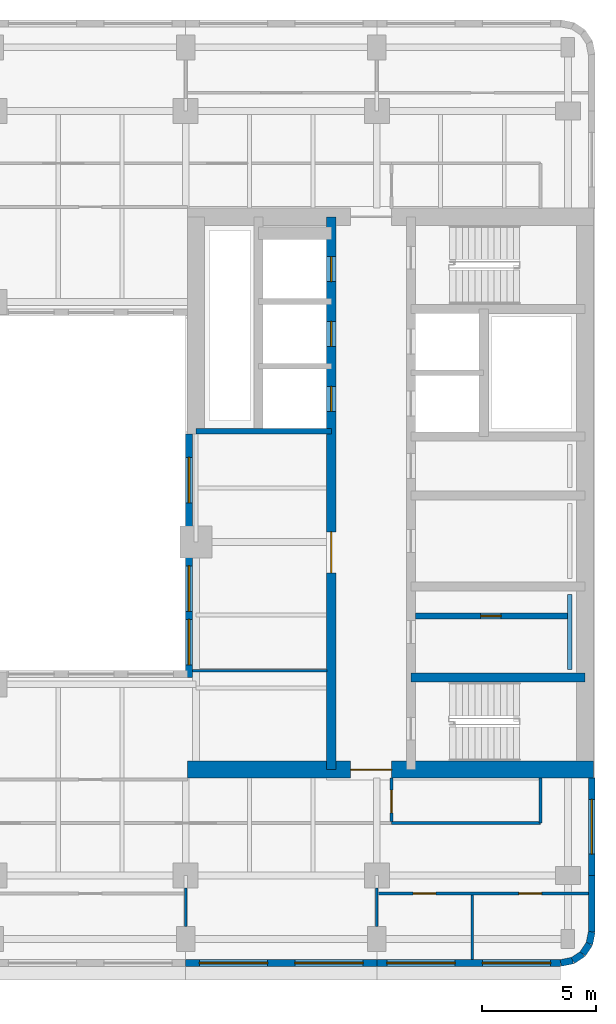
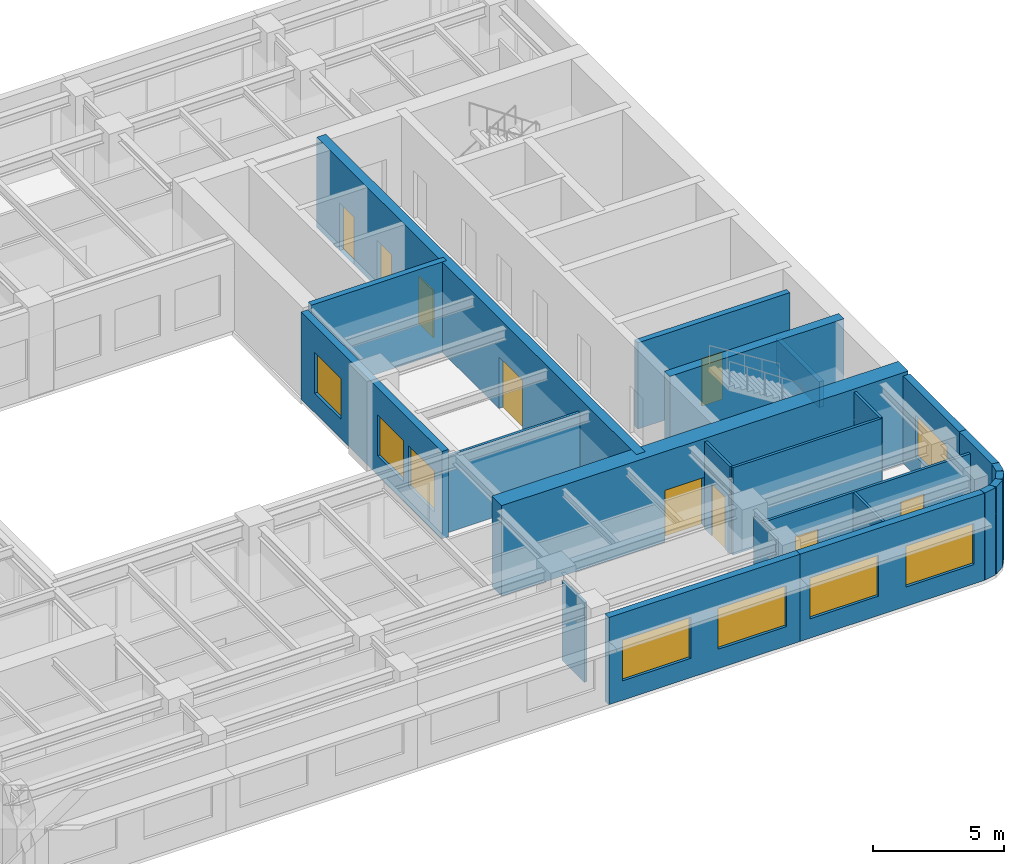
# One storey, part 5 of 11: 23 walls, 9 doors, 8 windows, 17 openings.
"""IFC4 building model written with IfcOpenShell, lengths in metres."""

from ifc_helpers import new_model, si_unit, direction, frame, frame_2d, origin, place, context, subcontext, project, spatial, rectangle, extrude, material, layer, layer_set, type_object, element, fill, save


model = new_model("IFC4")

# Units and contexts
model_context = context("Model", 3, precision=1e-05, world=origin(), true_north=direction((0.0, 1.0)))
body_context = subcontext(model_context, "Body", "Model", "MODEL_VIEW")
ifc_project = project(units=[si_unit("LENGTHUNIT", "METRE"), si_unit("AREAUNIT", "SQUARE_METRE"), si_unit("VOLUMEUNIT", "CUBIC_METRE"), si_unit("PLANEANGLEUNIT", "RADIAN"), si_unit("MASSUNIT", "GRAM", prefix="KILO")], contexts=[model_context])

# Site, building, storey
site_placement = place(None, origin())
site = spatial("IfcSite", under=ifc_project, at=site_placement, CompositionType="ELEMENT")
building_placement = place(site_placement, origin())
building = spatial("IfcBuilding", under=site, at=building_placement, Name="Claustro Exchange Tower", CompositionType="ELEMENT")
storey_placement = place(building_placement, frame((0.0, 0.0, 215.39990234375)))
storey = spatial("IfcBuildingStorey", under=building, at=storey_placement, Name="L49", CompositionType="ELEMENT", Elevation=215.39990234375)

# Walls
ifc_material_1 = material(Name="Laminated glass in aluminium frame", Category="aluminium")
ifc_layer_1 = layer(ifc_material_1, 0.1201171875)
ifc_layer_set_1 = layer_set([ifc_layer_1], Name="Laminated glass in aluminium frame")
wall_type_1 = type_object("IfcWallType", Name="P2 120 glazed partition", PredefinedType="PARTITIONING", material=ifc_layer_set_1)
wall_1_placement = place(storey_placement, frame((33.89794921875, 17.39990234375, 0.0), z_axis=(0.0, 0.0, 1.0), x_axis=(1.0, 0.0, 0.0)))
element("IfcWall", 1, at=wall_1_placement, inside=storey, type_object=wall_type_1, Name="Partition P2 L49", PredefinedType="PARTITIONING", context=body_context, shape_type="SweptSolid", body=[
    extrude(rectangle(XDim=5.904052734375, YDim=0.1201171875, at=frame_2d((2.9521484375, 0.0))), origin(), (0.0, 0.0, 1.0), 3.550048828125),
])
wall_2_placement = place(storey_placement, frame((33.60009765625, 6.14892578125, 0.0), z_axis=(0.0, 0.0, 1.0), x_axis=(0.0, 1.0, 0.0)))
element("IfcWall", 2, at=wall_2_placement, inside=storey, type_object=wall_type_1, Name="Partition P2 L49", PredefinedType="PARTITIONING", context=body_context, shape_type="SweptSolid", body=[
    extrude(rectangle(XDim=1.703125, YDim=0.1201171875, at=frame_2d((0.8515625, 0.0))), origin(), (0.0, 0.0, 1.0), 3.690185546875),
])

# Wall, openings, doors
wall_3_placement = place(storey_placement, frame((42.0, 7.60009765625, 0.0), z_axis=(0.0, 0.0, 1.0), x_axis=(1.0, 0.0, 0.0)))
wall_3 = element("IfcWall", 3, at=wall_3_placement, inside=storey, type_object=wall_type_1, Name="Partition P2 L49", PredefinedType="PARTITIONING", context=body_context, shape_type="SweptSolid", body=[
    extrude(rectangle(XDim=9.302001953125, YDim=0.1201171875, at=frame_2d((4.65087890625, 0.0))), origin(), (0.0, 0.0, 1.0), 3.56005859375),
])
opening_1_placement = place(wall_3_placement, frame((1.60009765625, 0.0, 0.0)))
opening_1 = element("IfcOpeningElement", 4, at=opening_1_placement, cuts=wall_3, Name="Opening D7", PredefinedType="OPENING", context=body_context, shape_type="SweptSolid", body=[
    extrude(rectangle(XDim=1.0, YDim=2.39990234375, at=frame_2d((0.5, 1.199951171875))), frame((0.0, 0.070068359375, 0.0), z_axis=(0.0, -1.0, 0.0), x_axis=(1.0, 0.0, 0.0)), (0.0, 0.0, 1.0), 0.14013671875),
])
opening_2_placement = place(wall_3_placement, frame((6.25, 0.0, 0.0)))
opening_2 = element("IfcOpeningElement", 5, at=opening_2_placement, cuts=wall_3, Name="Opening D7", PredefinedType="OPENING", context=body_context, shape_type="SweptSolid", body=[
    extrude(rectangle(XDim=1.0, YDim=2.39990234375, at=frame_2d((0.5, 1.199951171875))), frame((0.0, 0.070068359375, 0.0), z_axis=(0.0, -1.0, 0.0), x_axis=(1.0, 0.0, 0.0)), (0.0, 0.0, 1.0), 0.14013671875),
])
ifc_material_2 = material(Name="Glass door in aluminium frame", Category="aluminium")
door_type_1 = type_object("IfcDoorType", Name="D7 1000 x 2400 glazed door", OperationType="SINGLE_SWING_LEFT", PredefinedType="DOOR", material=ifc_material_2)
door_1_placement = place(opening_1_placement, frame((1.0, 0.0, 0.0), z_axis=(0.0, 0.0, 1.0), x_axis=(-1.0, 0.0, 0.0)))
door_1 = element("IfcDoor", 6, at=door_1_placement, inside=storey, type_object=door_type_1, Name="Door D7 L49", OperationType="SINGLE_SWING_RIGHT", OverallHeight=2.39990234375, OverallWidth=1.0, PredefinedType="DOOR", context=body_context, shape_type="SweptSolid", body=[
    extrude(rectangle(XDim=1.0, YDim=2.39990234375, at=frame_2d((0.5, 1.199951171875))), frame((0.0, 0.02490234375, 0.0), z_axis=(0.0, -1.0, 0.0), x_axis=(1.0, 0.0, 0.0)), (0.0, 0.0, 1.0), 0.050048828125),
])
fill(opening_1, door_1)
door_2_placement = place(opening_2_placement, frame((1.0, 0.0, 0.0), z_axis=(0.0, 0.0, 1.0), x_axis=(-1.0, 0.0, 0.0)))
door_2 = element("IfcDoor", 7, at=door_2_placement, inside=storey, type_object=door_type_1, Name="Door D7 L49", OperationType="SINGLE_SWING_RIGHT", OverallHeight=2.39990234375, OverallWidth=1.0, PredefinedType="DOOR", context=body_context, shape_type="SweptSolid", body=[
    extrude(rectangle(XDim=1.0, YDim=2.39990234375, at=frame_2d((0.5, 1.199951171875))), frame((0.0, 0.02490234375, 0.0), z_axis=(0.0, -1.0, 0.0), x_axis=(1.0, 0.0, 0.0)), (0.0, 0.0, 1.0), 0.050048828125),
])
fill(opening_2, door_2)

# Walls
wall_4_placement = place(storey_placement, frame((42.0, 6.14892578125, 0.0), z_axis=(0.0, 0.0, 1.0), x_axis=(0.0, 1.0, 0.0)))
element("IfcWall", 8, at=wall_4_placement, inside=storey, type_object=wall_type_1, Name="Partition P2 L49", PredefinedType="PARTITIONING", context=body_context, shape_type="SweptSolid", body=[
    extrude(rectangle(XDim=1.703125, YDim=0.1201171875, at=frame_2d((0.8515625, 0.0))), origin(), (0.0, 0.0, 1.0), 3.690185546875),
])
wall_5_placement = place(storey_placement, frame((46.199951171875, 4.699951171875, 0.0), z_axis=(0.0, 0.0, 1.0), x_axis=(0.0, 1.0, 0.0)))
element("IfcWall", 9, at=wall_5_placement, inside=storey, type_object=wall_type_1, Name="Partition P2 L49", PredefinedType="PARTITIONING", context=body_context, shape_type="SweptSolid", body=[
    extrude(rectangle(XDim=2.842041015625, YDim=0.1201171875, at=frame_2d((1.4208984375, 0.0))), origin(), (0.0, 0.0, 1.0), 3.56005859375),
])

# Wall, opening, door
wall_6_placement = place(storey_placement, frame((42.64990234375, 10.758056640625, 0.0), z_axis=(0.0, 0.0, 1.0), x_axis=(0.0, 1.0, 0.0)))
wall_6 = element("IfcWall", 10, at=wall_6_placement, inside=storey, type_object=wall_type_1, Name="Partition P2 L49", PredefinedType="PARTITIONING", context=body_context, shape_type="SweptSolid", body=[
    extrude(rectangle(XDim=1.91796875, YDim=0.1201171875, at=frame_2d((0.958984375, 0.0))), origin(), (0.0, 0.0, 1.0), 4.050048828125),
])
opening_3_placement = place(wall_6_placement, frame((0.39208984375, 0.0, 0.0)))
opening_3 = element("IfcOpeningElement", 11, at=opening_3_placement, cuts=wall_6, Name="Opening D7", PredefinedType="OPENING", context=body_context, shape_type="SweptSolid", body=[
    extrude(rectangle(XDim=1.0, YDim=2.39990234375, at=frame_2d((0.5, 1.199951171875))), frame((0.0, 0.070068359375, 0.0), z_axis=(0.0, -1.0, 0.0), x_axis=(1.0, 0.0, 0.0)), (0.0, 0.0, 1.0), 0.14013671875),
])
door_3_placement = place(opening_3_placement, frame((1.0, 0.0, 0.0), z_axis=(0.0, 0.0, 1.0), x_axis=(-1.0, 0.0, 0.0)))
door_3 = element("IfcDoor", 12, at=door_3_placement, inside=storey, type_object=door_type_1, Name="Door D7 L49", OperationType="SINGLE_SWING_RIGHT", OverallHeight=2.39990234375, OverallWidth=1.0, PredefinedType="DOOR", context=body_context, shape_type="SweptSolid", body=[
    extrude(rectangle(XDim=1.0, YDim=2.39990234375, at=frame_2d((0.5, 1.199951171875))), frame((0.0, 0.02490234375, 0.0), z_axis=(0.0, -1.0, 0.0), x_axis=(1.0, 0.0, 0.0)), (0.0, 0.0, 1.0), 0.050048828125),
])
fill(opening_3, door_3)

# Walls
wall_7_placement = place(storey_placement, frame((42.64794921875, 10.699951171875, 0.0), z_axis=(0.0, 0.0, 1.0), x_axis=(1.0, 0.0, 0.0)))
element("IfcWall", 13, at=wall_7_placement, inside=storey, type_object=wall_type_1, Name="Partition P2 L49", PredefinedType="PARTITIONING", context=body_context, shape_type="SweptSolid", body=[
    extrude(rectangle(XDim=6.552001953125, YDim=0.1201171875, at=frame_2d((3.27587890625, 0.0))), origin(), (0.0, 0.0, 1.0), 4.050048828125),
])
wall_8_placement = place(storey_placement, frame((49.199951171875, 10.699951171875, 0.0), z_axis=(0.0, 0.0, 1.0), x_axis=(0.0, 1.0, 0.0)))
element("IfcWall", 14, at=wall_8_placement, inside=storey, type_object=wall_type_1, Name="Partition P2 L49", PredefinedType="PARTITIONING", context=body_context, shape_type="SweptSolid", body=[
    extrude(rectangle(XDim=1.97607421875, YDim=0.1201171875, at=frame_2d((0.988037109375, 0.0))), origin(), (0.0, 0.0, 1.0), 4.050048828125),
])

# Wall, opening, door
ifc_material_3 = material(Name="Concrete blockwork, rendered", Category="masonry")
ifc_layer_2 = layer(ifc_material_3, 0.25)
ifc_layer_set_2 = layer_set([ifc_layer_2], Name="Concrete blockwork, rendered")
wall_type_2 = type_object("IfcWallType", Name="P4 250 blockwork wall", PredefinedType="PARTITIONING", material=ifc_layer_set_2)
wall_9_placement = place(storey_placement, frame((43.699951171875, 19.800048828125, 0.0), z_axis=(0.0, 0.0, 1.0), x_axis=(1.0, 0.0, 0.0)))
wall_9 = element("IfcWall", 15, at=wall_9_placement, inside=storey, type_object=wall_type_2, Name="Partition P4 L49", PredefinedType="PARTITIONING", context=body_context, shape_type="SweptSolid", body=[
    extrude(rectangle(XDim=6.675048828125, YDim=0.25, at=frame_2d((3.33740234375, 0.0))), origin(), (0.0, 0.0, 1.0), 4.0),
])
opening_4_placement = place(wall_9_placement, frame((2.862548828125, 0.0, 0.0)))
opening_4 = element("IfcOpeningElement", 16, at=opening_4_placement, cuts=wall_9, Name="Opening D5", PredefinedType="OPENING", context=body_context, shape_type="SweptSolid", body=[
    extrude(rectangle(XDim=0.89990234375, YDim=2.199951171875, at=frame_2d((0.449951171875, 1.10009765625))), frame((0.0, 0.135009765625, 0.0), z_axis=(0.0, -1.0, 0.0), x_axis=(1.0, 0.0, 0.0)), (0.0, 0.0, 1.0), 0.27001953125),
])
ifc_material_4 = material(Name="Steel door, painted", Category="steel")
door_type_2 = type_object("IfcDoorType", Name="D5 900 x 2200 store door", OperationType="SINGLE_SWING_LEFT", PredefinedType="DOOR", material=ifc_material_4)
door_4_placement = place(opening_4_placement, origin())
door_4 = element("IfcDoor", 17, at=door_4_placement, inside=storey, type_object=door_type_2, Name="Store door D5 L49", OperationType="SINGLE_SWING_LEFT", OverallHeight=2.199951171875, OverallWidth=0.89990234375, PredefinedType="DOOR", context=body_context, shape_type="SweptSolid", body=[
    extrude(rectangle(XDim=0.89990234375, YDim=2.199951171875, at=frame_2d((0.449951171875, 1.10009765625))), frame((0.0, 0.02490234375, 0.0), z_axis=(0.0, -1.0, 0.0), x_axis=(1.0, 0.0, 0.0)), (0.0, 0.0, 1.0), 0.050048828125),
])
fill(opening_4, door_4)

# Wall, openings, windows
ifc_material_5 = material(Name="Concrete HA-40 (C40/50), precast, white cement, acid-etched", Category="concrete")
ifc_layer_3 = layer(ifc_material_5, 0.300048828125)
ifc_layer_set_3 = layer_set([ifc_layer_3], Name="Concrete HA-40 (C40/50), precast, white cement, acid-etched")
wall_type_3 = type_object("IfcWallType", Name="PC1 300 precast concrete pier panel", PredefinedType="SOLIDWALL", material=ifc_layer_set_3)
wall_10_placement = place(storey_placement, frame((50.085205078125, 4.550048828125, 0.0), z_axis=(0.0, 0.0, 1.0), x_axis=(-1.0, 0.0, 0.0)))
wall_10 = element("IfcWall", 18, at=wall_10_placement, inside=storey, type_object=wall_type_3, Name="Precast pier panel PC1 L49", PredefinedType="SOLIDWALL", context=body_context, shape_type="SweptSolid", body=[
    extrude(rectangle(XDim=8.085205078125, YDim=0.300048828125, at=frame_2d((4.04248046875, 0.0))), origin(), (0.0, 0.0, 1.0), 4.050048828125),
])
opening_5_placement = place(wall_10_placement, frame((0.442626953125, 0.0, 0.89990234375)))
opening_5 = element("IfcOpeningElement", 19, at=opening_5_placement, cuts=wall_10, Name="Opening W1", PredefinedType="OPENING", context=body_context, shape_type="SweptSolid", body=[
    extrude(rectangle(XDim=3.0, YDim=1.89990234375, at=frame_2d((1.5, 0.949951171875))), frame((0.0, 0.159912109375, 0.0), z_axis=(0.0, -1.0, 0.0), x_axis=(1.0, 0.0, 0.0)), (0.0, 0.0, 1.0), 0.320068359375),
])
opening_6_placement = place(wall_10_placement, frame((4.642578125, 0.0, 0.89990234375)))
opening_6 = element("IfcOpeningElement", 20, at=opening_6_placement, cuts=wall_10, Name="Opening W1", PredefinedType="OPENING", context=body_context, shape_type="SweptSolid", body=[
    extrude(rectangle(XDim=3.0, YDim=1.89990234375, at=frame_2d((1.5, 0.949951171875))), frame((0.0, 0.159912109375, 0.0), z_axis=(0.0, -1.0, 0.0), x_axis=(1.0, 0.0, 0.0)), (0.0, 0.0, 1.0), 0.320068359375),
])
ifc_material_6 = material(Name="Aluminium frame, clear double glazing", Category="aluminium")
window_type_1 = type_object("IfcWindowType", Name="W1 3000 x 1900 window", PartitioningType="SINGLE_PANEL", PredefinedType="WINDOW", material=ifc_material_6)
window_1_placement = place(opening_5_placement, origin())
window_1 = element("IfcWindow", 21, at=window_1_placement, inside=storey, type_object=window_type_1, Name="Window W1 L49", OverallHeight=1.89990234375, OverallWidth=3.0, PartitioningType="SINGLE_PANEL", PredefinedType="WINDOW", context=body_context, shape_type="SweptSolid", body=[
    extrude(rectangle(XDim=3.0, YDim=1.89990234375, at=frame_2d((1.5, 0.949951171875))), frame((0.0, 0.030029296875, 0.0), z_axis=(0.0, -1.0, 0.0), x_axis=(1.0, 0.0, 0.0)), (0.0, 0.0, 1.0), 0.06005859375),
])
fill(opening_5, window_1)
window_2_placement = place(opening_6_placement, origin())
window_2 = element("IfcWindow", 22, at=window_2_placement, inside=storey, type_object=window_type_1, Name="Window W1 L49", OverallHeight=1.89990234375, OverallWidth=3.0, PartitioningType="SINGLE_PANEL", PredefinedType="WINDOW", context=body_context, shape_type="SweptSolid", body=[
    extrude(rectangle(XDim=3.0, YDim=1.89990234375, at=frame_2d((1.5, 0.949951171875))), frame((0.0, 0.030029296875, 0.0), z_axis=(0.0, -1.0, 0.0), x_axis=(1.0, 0.0, 0.0)), (0.0, 0.0, 1.0), 0.06005859375),
])
fill(opening_6, window_2)

wall_11_placement = place(storey_placement, frame((42.0, 4.550048828125, 0.0), z_axis=(0.0, 0.0, 1.0), x_axis=(-1.0, 0.0, 0.0)))
wall_11 = element("IfcWall", 23, at=wall_11_placement, inside=storey, type_object=wall_type_3, Name="Precast pier panel PC1 L49", PredefinedType="SOLIDWALL", context=body_context, shape_type="SweptSolid", body=[
    extrude(rectangle(XDim=8.39990234375, YDim=0.300048828125, at=frame_2d((4.199951171875, 0.0))), origin(), (0.0, 0.0, 1.0), 4.050048828125),
])
opening_7_placement = place(wall_11_placement, frame((0.60009765625, 0.0, 0.89990234375)))
opening_7 = element("IfcOpeningElement", 24, at=opening_7_placement, cuts=wall_11, Name="Opening W1", PredefinedType="OPENING", context=body_context, shape_type="SweptSolid", body=[
    extrude(rectangle(XDim=3.0, YDim=1.89990234375, at=frame_2d((1.5, 0.949951171875))), frame((0.0, 0.159912109375, 0.0), z_axis=(0.0, -1.0, 0.0), x_axis=(1.0, 0.0, 0.0)), (0.0, 0.0, 1.0), 0.320068359375),
])
opening_8_placement = place(wall_11_placement, frame((4.800048828125, 0.0, 0.89990234375)))
opening_8 = element("IfcOpeningElement", 25, at=opening_8_placement, cuts=wall_11, Name="Opening W1", PredefinedType="OPENING", context=body_context, shape_type="SweptSolid", body=[
    extrude(rectangle(XDim=3.0, YDim=1.89990234375, at=frame_2d((1.5, 0.949951171875))), frame((0.0, 0.159912109375, 0.0), z_axis=(0.0, -1.0, 0.0), x_axis=(1.0, 0.0, 0.0)), (0.0, 0.0, 1.0), 0.320068359375),
])
window_3_placement = place(opening_7_placement, origin())
window_3 = element("IfcWindow", 26, at=window_3_placement, inside=storey, type_object=window_type_1, Name="Window W1 L49", OverallHeight=1.89990234375, OverallWidth=3.0, PartitioningType="SINGLE_PANEL", PredefinedType="WINDOW", context=body_context, shape_type="SweptSolid", body=[
    extrude(rectangle(XDim=3.0, YDim=1.89990234375, at=frame_2d((1.5, 0.949951171875))), frame((0.0, 0.030029296875, 0.0), z_axis=(0.0, -1.0, 0.0), x_axis=(1.0, 0.0, 0.0)), (0.0, 0.0, 1.0), 0.06005859375),
])
fill(opening_7, window_3)
window_4_placement = place(opening_8_placement, origin())
window_4 = element("IfcWindow", 27, at=window_4_placement, inside=storey, type_object=window_type_1, Name="Window W1 L49", OverallHeight=1.89990234375, OverallWidth=3.0, PartitioningType="SINGLE_PANEL", PredefinedType="WINDOW", context=body_context, shape_type="SweptSolid", body=[
    extrude(rectangle(XDim=3.0, YDim=1.89990234375, at=frame_2d((1.5, 0.949951171875))), frame((0.0, 0.030029296875, 0.0), z_axis=(0.0, -1.0, 0.0), x_axis=(1.0, 0.0, 0.0)), (0.0, 0.0, 1.0), 0.06005859375),
])
fill(opening_8, window_4)

# Wall, opening, window
wall_12_placement = place(storey_placement, frame((51.449951171875, 12.675048828125, 0.0), z_axis=(0.0, 0.0, 1.0), x_axis=(0.0, -1.0, 0.0)))
wall_12 = element("IfcWall", 28, at=wall_12_placement, inside=storey, type_object=wall_type_3, Name="Precast pier panel PC1 L49", PredefinedType="SOLIDWALL", context=body_context, shape_type="SweptSolid", body=[
    extrude(rectangle(XDim=4.275146484375, YDim=0.300048828125, at=frame_2d((2.1376953125, 0.0))), origin(), (0.0, 0.0, 1.0), 4.050048828125),
])
opening_9_placement = place(wall_12_placement, frame((0.9375, 0.0, 0.89990234375)))
opening_9 = element("IfcOpeningElement", 29, at=opening_9_placement, cuts=wall_12, Name="Opening W2", PredefinedType="OPENING", context=body_context, shape_type="SweptSolid", body=[
    extrude(rectangle(XDim=2.39990234375, YDim=1.89990234375, at=frame_2d((1.199951171875, 0.949951171875))), frame((0.0, 0.159912109375, 0.0), z_axis=(0.0, -1.0, 0.0), x_axis=(1.0, 0.0, 0.0)), (0.0, 0.0, 1.0), 0.320068359375),
])
ifc_material_7 = material(Name="Aluminium frame, clear double glazing", Category="aluminium")
window_type_2 = type_object("IfcWindowType", Name="W2 2400 x 1900 window", PartitioningType="SINGLE_PANEL", PredefinedType="WINDOW", material=ifc_material_7)
window_5_placement = place(opening_9_placement, origin())
window_5 = element("IfcWindow", 30, at=window_5_placement, inside=storey, type_object=window_type_2, Name="Window W2 L49", OverallHeight=1.89990234375, OverallWidth=2.39990234375, PartitioningType="SINGLE_PANEL", PredefinedType="WINDOW", context=body_context, shape_type="SweptSolid", body=[
    extrude(rectangle(XDim=2.39990234375, YDim=1.89990234375, at=frame_2d((1.199951171875, 0.949951171875))), frame((0.0, 0.030029296875, 0.0), z_axis=(0.0, -1.0, 0.0), x_axis=(1.0, 0.0, 0.0)), (0.0, 0.0, 1.0), 0.06005859375),
])
fill(opening_9, window_5)

# Walls
wall_13_placement = place(storey_placement, frame((51.449951171875, 8.39990234375, 0.0), z_axis=(0.0, 0.0, 1.0), x_axis=(0.0, -1.0, 0.0)))
element("IfcWall", 31, at=wall_13_placement, inside=storey, type_object=wall_type_3, Name="Precast pier panel PC1 L49", PredefinedType="SOLIDWALL", context=body_context, shape_type="SweptSolid", body=[
    extrude(rectangle(XDim=2.485107421875, YDim=0.300048828125, at=frame_2d((1.24267578125, 0.0))), origin(), (0.0, 0.0, 1.0), 4.050048828125),
])
wall_14_placement = place(storey_placement, frame((51.449951171875, 5.914794921875, 0.0), z_axis=(0.0, 0.0, 1.0), x_axis=(-0.195073962632, -0.980788534345, 0.0)))
element("IfcWall", 32, at=wall_14_placement, inside=storey, type_object=wall_type_3, Name="Precast pier panel PC1 L49", PredefinedType="SOLIDWALL", context=body_context, shape_type="SweptSolid", body=[
    extrude(rectangle(XDim=0.540771484375, YDim=0.300048828125, at=frame_2d((0.2705078125, 0.0))), origin(), (0.0, 0.0, 1.0), 4.050048828125),
])
for number, where, z_axis, x_axis, name in (
    (33, (51.344482421875, 5.384521484375, 0.0), (0.0, 0.0, 1.0), (-0.555557463938, -0.831478144188, 0.0), "Precast pier panel PC1 L49"),
    (34, (51.052490234375, 4.947509765625, 0.0), (0.0, 0.0, 1.0), (-0.831478144188, -0.555557463938, 0.0), "Precast pier panel PC1 L49"),
):
    element("IfcWall", number, at=place(storey_placement, frame(where, z_axis=z_axis, x_axis=x_axis)), inside=storey, type_object=wall_type_3, Name=name, PredefinedType="SOLIDWALL", context=body_context, shape_type="SweptSolid", body=[
        extrude(rectangle(XDim=0.525634765625, YDim=0.300048828125, at=frame_2d((0.2626953125, 0.0))), origin(), (0.0, 0.0, 1.0), 4.050048828125),
    ])
wall_15_placement = place(storey_placement, frame((50.615478515625, 4.655517578125, 0.0), z_axis=(0.0, 0.0, 1.0), x_axis=(-0.980788534345, -0.195073962632, 0.0)))
element("IfcWall", 35, at=wall_15_placement, inside=storey, type_object=wall_type_3, Name="Precast pier panel PC1 L49", PredefinedType="SOLIDWALL", context=body_context, shape_type="SweptSolid", body=[
    extrude(rectangle(XDim=0.540771484375, YDim=0.300048828125, at=frame_2d((0.2705078125, 0.0))), origin(), (0.0, 0.0, 1.0), 4.050048828125),
])

# Wall, openings, windows
wall_16_placement = place(storey_placement, frame((33.75, 17.10009765625, 0.0), z_axis=(0.0, 0.0, 1.0), x_axis=(0.0, 1.0, 0.0)))
wall_16 = element("IfcWall", 36, at=wall_16_placement, inside=storey, type_object=wall_type_3, Name="Precast pier panel PC1 L49", PredefinedType="SOLIDWALL", context=body_context, shape_type="SweptSolid", body=[
    extrude(rectangle(XDim=10.699951171875, YDim=0.300048828125, at=frame_2d((5.35009765625, 0.0))), origin(), (0.0, 0.0, 1.0), 4.050048828125),
])
opening_10_placement = place(wall_16_placement, frame((0.550048828125, 0.0, 0.89990234375)))
opening_10 = element("IfcOpeningElement", 37, at=opening_10_placement, cuts=wall_16, Name="Opening W4", PredefinedType="OPENING", context=body_context, shape_type="SweptSolid", body=[
    extrude(rectangle(XDim=2.0, YDim=1.89990234375, at=frame_2d((1.0, 0.949951171875))), frame((0.0, 0.159912109375, 0.0), z_axis=(0.0, -1.0, 0.0), x_axis=(1.0, 0.0, 0.0)), (0.0, 0.0, 1.0), 0.320068359375),
])
opening_11_placement = place(wall_16_placement, frame((2.89990234375, 0.0, 0.89990234375)))
opening_11 = element("IfcOpeningElement", 38, at=opening_11_placement, cuts=wall_16, Name="Opening W4", PredefinedType="OPENING", context=body_context, shape_type="SweptSolid", body=[
    extrude(rectangle(XDim=2.0, YDim=1.89990234375, at=frame_2d((1.0, 0.949951171875))), frame((0.0, 0.159912109375, 0.0), z_axis=(0.0, -1.0, 0.0), x_axis=(1.0, 0.0, 0.0)), (0.0, 0.0, 1.0), 0.320068359375),
])
opening_12_placement = place(wall_16_placement, frame((7.675048828125, 0.0, 0.89990234375)))
opening_12 = element("IfcOpeningElement", 39, at=opening_12_placement, cuts=wall_16, Name="Opening W4", PredefinedType="OPENING", context=body_context, shape_type="SweptSolid", body=[
    extrude(rectangle(XDim=2.0, YDim=1.89990234375, at=frame_2d((1.0, 0.949951171875))), frame((0.0, 0.159912109375, 0.0), z_axis=(0.0, -1.0, 0.0), x_axis=(1.0, 0.0, 0.0)), (0.0, 0.0, 1.0), 0.320068359375),
])
ifc_material_8 = material(Name="Aluminium frame, clear double glazing", Category="aluminium")
window_type_3 = type_object("IfcWindowType", Name="W4 2000 x 1900 light well window", PartitioningType="SINGLE_PANEL", PredefinedType="WINDOW", material=ifc_material_8)
window_6_placement = place(opening_10_placement, origin())
window_6 = element("IfcWindow", 40, at=window_6_placement, inside=storey, type_object=window_type_3, Name="Window W4 L49", OverallHeight=1.89990234375, OverallWidth=2.0, PartitioningType="SINGLE_PANEL", PredefinedType="WINDOW", context=body_context, shape_type="SweptSolid", body=[
    extrude(rectangle(XDim=2.0, YDim=1.89990234375, at=frame_2d((1.0, 0.949951171875))), frame((0.0, 0.030029296875, 0.0), z_axis=(0.0, -1.0, 0.0), x_axis=(1.0, 0.0, 0.0)), (0.0, 0.0, 1.0), 0.06005859375),
])
fill(opening_10, window_6)
window_7_placement = place(opening_11_placement, origin())
window_7 = element("IfcWindow", 41, at=window_7_placement, inside=storey, type_object=window_type_3, Name="Window W4 L49", OverallHeight=1.89990234375, OverallWidth=2.0, PartitioningType="SINGLE_PANEL", PredefinedType="WINDOW", context=body_context, shape_type="SweptSolid", body=[
    extrude(rectangle(XDim=2.0, YDim=1.89990234375, at=frame_2d((1.0, 0.949951171875))), frame((0.0, 0.030029296875, 0.0), z_axis=(0.0, -1.0, 0.0), x_axis=(1.0, 0.0, 0.0)), (0.0, 0.0, 1.0), 0.06005859375),
])
fill(opening_11, window_7)
window_8_placement = place(opening_12_placement, origin())
window_8 = element("IfcWindow", 42, at=window_8_placement, inside=storey, type_object=window_type_3, Name="Window W4 L49", OverallHeight=1.89990234375, OverallWidth=2.0, PartitioningType="SINGLE_PANEL", PredefinedType="WINDOW", context=body_context, shape_type="SweptSolid", body=[
    extrude(rectangle(XDim=2.0, YDim=1.89990234375, at=frame_2d((1.0, 0.949951171875))), frame((0.0, 0.030029296875, 0.0), z_axis=(0.0, -1.0, 0.0), x_axis=(1.0, 0.0, 0.0)), (0.0, 0.0, 1.0), 0.06005859375),
])
fill(opening_12, window_8)

# Wall
ifc_material_9 = material(Name="Gypsum board on steel studs, tiled", Category="steel")
ifc_layer_4 = layer(ifc_material_9, 0.199951171875)
ifc_layer_set_4 = layer_set([ifc_layer_4], Name="Gypsum board on steel studs, tiled")
wall_type_4 = type_object("IfcWallType", Name="PW1 200 WC duct wall", PredefinedType="PLUMBINGWALL", material=ifc_layer_set_4)
wall_17_placement = place(storey_placement, frame((50.47509765625, 17.449951171875, 0.0), z_axis=(0.0, 0.0, 1.0), x_axis=(0.0, 1.0, 0.0)))
element("IfcWall", 43, at=wall_17_placement, inside=storey, type_object=wall_type_4, Name="WC duct wall PW1 L49", PredefinedType="PLUMBINGWALL", context=body_context, shape_type="SweptSolid", body=[
    extrude(rectangle(XDim=3.300048828125, YDim=0.199951171875, at=frame_2d((1.64990234375, 0.0))), origin(), (0.0, 0.0, 1.0), 1.2001953125),
])

# Wall, opening, door
ifc_material_10 = material(Name="Concrete HA-70 (C70/85)", Category="concrete")
ifc_layer_5 = layer(ifc_material_10, 0.75)
ifc_layer_set_5 = layer_set([ifc_layer_5], Name="Concrete HA-70 (C70/85)")
wall_type_5 = type_object("IfcWallType", Name="SW2 750 core shear wall", PredefinedType="SHEAR", material=ifc_layer_set_5)
wall_18_placement = place(storey_placement, frame((33.675048828125, 13.050048828125, 0.0), z_axis=(0.0, 0.0, 1.0), x_axis=(1.0, 0.0, 0.0)))
wall_18 = element("IfcWall", 44, at=wall_18_placement, inside=storey, type_object=wall_type_5, Name="Core wall SW2 E core S face L49", PredefinedType="SHEAR", context=body_context, shape_type="SweptSolid", body=[
    extrude(rectangle(XDim=17.849853515625, YDim=0.75, at=frame_2d((8.9248046875, 0.0))), origin(), (0.0, 0.0, 1.0), 4.2001953125),
])
opening_13_placement = place(wall_18_placement, frame((7.175048828125, 0.0, 0.0)))
opening_13 = element("IfcOpeningElement", 45, at=opening_13_placement, cuts=wall_18, Name="Opening D3", PredefinedType="OPENING", context=body_context, shape_type="SweptSolid", body=[
    extrude(rectangle(XDim=1.800048828125, YDim=2.39990234375, at=frame_2d((0.89990234375, 1.199951171875))), frame((0.0, 0.385009765625, 0.0), z_axis=(0.0, -1.0, 0.0), x_axis=(1.0, 0.0, 0.0)), (0.0, 0.0, 1.0), 0.77001953125),
])
ifc_material_11 = material(Name="Steel fire door, painted", Category="steel")
door_type_3 = type_object("IfcDoorType", Name="D3 1800 x 2400 fire-rated lobby double door", OperationType="DOUBLE_DOOR_SINGLE_SWING", PredefinedType="DOOR", material=ifc_material_11)
door_5_placement = place(opening_13_placement, origin())
door_5 = element("IfcDoor", 46, at=door_5_placement, inside=storey, type_object=door_type_3, Name="Lift lobby door D3 L49", OperationType="DOUBLE_DOOR_SINGLE_SWING", OverallHeight=2.39990234375, OverallWidth=1.800048828125, PredefinedType="DOOR", context=body_context, shape_type="SweptSolid", body=[
    extrude(rectangle(XDim=1.800048828125, YDim=2.39990234375, at=frame_2d((0.89990234375, 1.199951171875))), frame((0.0, 0.02490234375, 0.0), z_axis=(0.0, -1.0, 0.0), x_axis=(1.0, 0.0, 0.0)), (0.0, 0.0, 1.0), 0.050048828125),
])
fill(opening_13, door_5)

# Wall, openings, doors
ifc_material_12 = material(Name="Concrete HA-50 (C50/60)", Category="concrete")
ifc_layer_6 = layer(ifc_material_12, 0.39990234375)
ifc_layer_set_6 = layer_set([ifc_layer_6], Name="Concrete HA-50 (C50/60)")
wall_type_6 = type_object("IfcWallType", Name="SW4 400 internal core wall", PredefinedType="SHEAR", material=ifc_layer_set_6)
wall_19_placement = place(storey_placement, frame((40.0, 13.050048828125, 0.0), z_axis=(0.0, 0.0, 1.0), x_axis=(0.0, 1.0, 0.0)))
wall_19 = element("IfcWall", 47, at=wall_19_placement, inside=storey, type_object=wall_type_6, Name="Internal core wall SW4 E core L49", PredefinedType="SHEAR", context=body_context, shape_type="SweptSolid", body=[
    extrude(rectangle(XDim=24.300048828125, YDim=0.39990234375, at=frame_2d((12.14990234375, 0.0))), origin(), (0.0, 0.0, 1.0), 4.2001953125),
])
opening_14_placement = place(wall_19_placement, frame((15.75, 0.0, 0.0)))
opening_14 = element("IfcOpeningElement", 48, at=opening_14_placement, cuts=wall_19, Name="Opening LD", PredefinedType="OPENING", context=body_context, shape_type="SweptSolid", body=[
    extrude(rectangle(XDim=1.10009765625, YDim=2.199951171875, at=frame_2d((0.550048828125, 1.10009765625))), frame((0.0, 0.2099609375, 0.0), z_axis=(0.0, -1.0, 0.0), x_axis=(1.0, 0.0, 0.0)), (0.0, 0.0, 1.0), 0.419921875),
])
opening_15_placement = place(wall_19_placement, frame((18.60009765625, 0.0, 0.0)))
opening_15 = element("IfcOpeningElement", 49, at=opening_15_placement, cuts=wall_19, Name="Opening LD", PredefinedType="OPENING", context=body_context, shape_type="SweptSolid", body=[
    extrude(rectangle(XDim=1.10009765625, YDim=2.199951171875, at=frame_2d((0.550048828125, 1.10009765625))), frame((0.0, 0.2099609375, 0.0), z_axis=(0.0, -1.0, 0.0), x_axis=(1.0, 0.0, 0.0)), (0.0, 0.0, 1.0), 0.419921875),
])
opening_16_placement = place(wall_19_placement, frame((21.449951171875, 0.0, 0.0)))
opening_16 = element("IfcOpeningElement", 50, at=opening_16_placement, cuts=wall_19, Name="Opening LD", PredefinedType="OPENING", context=body_context, shape_type="SweptSolid", body=[
    extrude(rectangle(XDim=1.10009765625, YDim=2.199951171875, at=frame_2d((0.550048828125, 1.10009765625))), frame((0.0, 0.2099609375, 0.0), z_axis=(0.0, -1.0, 0.0), x_axis=(1.0, 0.0, 0.0)), (0.0, 0.0, 1.0), 0.419921875),
])
opening_17_placement = place(wall_19_placement, frame((8.64990234375, 0.0, 0.0)))
opening_17 = element("IfcOpeningElement", 51, at=opening_17_placement, cuts=wall_19, Name="Opening D3", PredefinedType="OPENING", context=body_context, shape_type="SweptSolid", body=[
    extrude(rectangle(XDim=1.800048828125, YDim=2.39990234375, at=frame_2d((0.89990234375, 1.199951171875))), frame((0.0, 0.2099609375, 0.0), z_axis=(0.0, -1.0, 0.0), x_axis=(1.0, 0.0, 0.0)), (0.0, 0.0, 1.0), 0.419921875),
])
door_6_placement = place(opening_17_placement, origin())
door_6 = element("IfcDoor", 52, at=door_6_placement, inside=storey, type_object=door_type_3, Name="Core zone door D3 L49", OperationType="DOUBLE_DOOR_SINGLE_SWING", OverallHeight=2.39990234375, OverallWidth=1.800048828125, PredefinedType="DOOR", context=body_context, shape_type="SweptSolid", body=[
    extrude(rectangle(XDim=1.800048828125, YDim=2.39990234375, at=frame_2d((0.89990234375, 1.199951171875))), frame((0.0, 0.02490234375, 0.0), z_axis=(0.0, -1.0, 0.0), x_axis=(1.0, 0.0, 0.0)), (0.0, 0.0, 1.0), 0.050048828125),
])
fill(opening_17, door_6)
ifc_material_13 = material(Name="Stainless steel sliding door", Category="steel")
door_type_4 = type_object("IfcDoorType", Name="LD 1100 x 2200 lift landing door", OperationType="DOUBLE_DOOR_SLIDING", PredefinedType="DOOR", material=ifc_material_13)
door_7_placement = place(opening_14_placement, origin())
door_7 = element("IfcDoor", 53, at=door_7_placement, inside=storey, type_object=door_type_4, Name="Lift landing door LHE1 LD L49", OperationType="DOUBLE_DOOR_SLIDING", OverallHeight=2.199951171875, OverallWidth=1.10009765625, PredefinedType="DOOR", context=body_context, shape_type="SweptSolid", body=[
    extrude(rectangle(XDim=1.10009765625, YDim=2.199951171875, at=frame_2d((0.550048828125, 1.10009765625))), frame((0.0, 0.02490234375, 0.0), z_axis=(0.0, -1.0, 0.0), x_axis=(1.0, 0.0, 0.0)), (0.0, 0.0, 1.0), 0.050048828125),
])
fill(opening_14, door_7)
door_8_placement = place(opening_15_placement, origin())
door_8 = element("IfcDoor", 54, at=door_8_placement, inside=storey, type_object=door_type_4, Name="Lift landing door LHE2 LD L49", OperationType="DOUBLE_DOOR_SLIDING", OverallHeight=2.199951171875, OverallWidth=1.10009765625, PredefinedType="DOOR", context=body_context, shape_type="SweptSolid", body=[
    extrude(rectangle(XDim=1.10009765625, YDim=2.199951171875, at=frame_2d((0.550048828125, 1.10009765625))), frame((0.0, 0.02490234375, 0.0), z_axis=(0.0, -1.0, 0.0), x_axis=(1.0, 0.0, 0.0)), (0.0, 0.0, 1.0), 0.050048828125),
])
fill(opening_15, door_8)
door_9_placement = place(opening_16_placement, origin())
door_9 = element("IfcDoor", 55, at=door_9_placement, inside=storey, type_object=door_type_4, Name="Lift landing door LSE1 LD L49", OperationType="DOUBLE_DOOR_SLIDING", OverallHeight=2.199951171875, OverallWidth=1.10009765625, PredefinedType="DOOR", context=body_context, shape_type="SweptSolid", body=[
    extrude(rectangle(XDim=1.10009765625, YDim=2.199951171875, at=frame_2d((0.550048828125, 1.10009765625))), frame((0.0, 0.02490234375, 0.0), z_axis=(0.0, -1.0, 0.0), x_axis=(1.0, 0.0, 0.0)), (0.0, 0.0, 1.0), 0.050048828125),
])
fill(opening_16, door_9)

# Walls
wall_20_placement = place(storey_placement, frame((51.14990234375, 17.10009765625, 0.0), z_axis=(0.0, 0.0, 1.0), x_axis=(-1.0, 0.0, 0.0)))
element("IfcWall", 56, at=wall_20_placement, inside=storey, type_object=wall_type_6, Name="Internal core wall SW4 E core L49", PredefinedType="SHEAR", context=body_context, shape_type="SweptSolid", body=[
    extrude(rectangle(XDim=7.64990234375, YDim=0.39990234375, at=frame_2d((3.824951171875, 0.0))), origin(), (0.0, 0.0, 1.0), 4.2001953125),
])
ifc_material_14 = material(Name="Concrete HA-50 (C50/60)", Category="concrete")
ifc_layer_7 = layer(ifc_material_14, 0.25)
ifc_layer_set_7 = layer_set([ifc_layer_7], Name="Concrete HA-50 (C50/60)")
wall_type_7 = type_object("IfcWallType", Name="SW5 250 lift shaft divider wall", PredefinedType="SHEAR", material=ifc_layer_set_7)
wall_21_placement = place(storey_placement, frame((40.0, 27.925048828125, 0.0), z_axis=(0.0, 0.0, 1.0), x_axis=(-1.0, 0.0, 0.0)))
element("IfcWall", 57, at=wall_21_placement, inside=storey, type_object=wall_type_7, Name="Core step wall E core L49", PredefinedType="SHEAR", context=body_context, shape_type="SweptSolid", body=[
    extrude(rectangle(XDim=5.949951171875, YDim=0.25, at=frame_2d((2.97509765625, 0.0))), origin(), (0.0, 0.0, 1.0), 4.2001953125),
])

save(model, "model.ifc")
